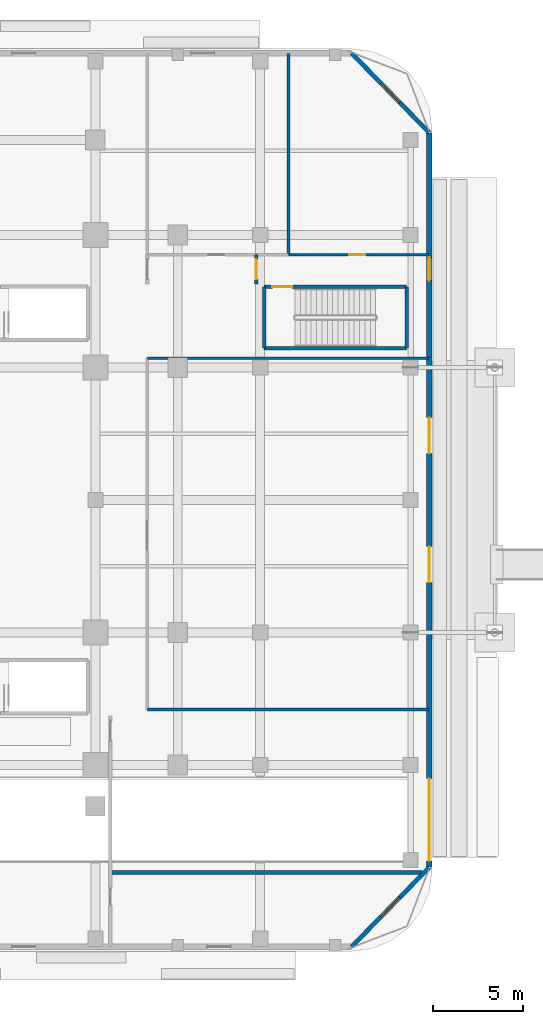
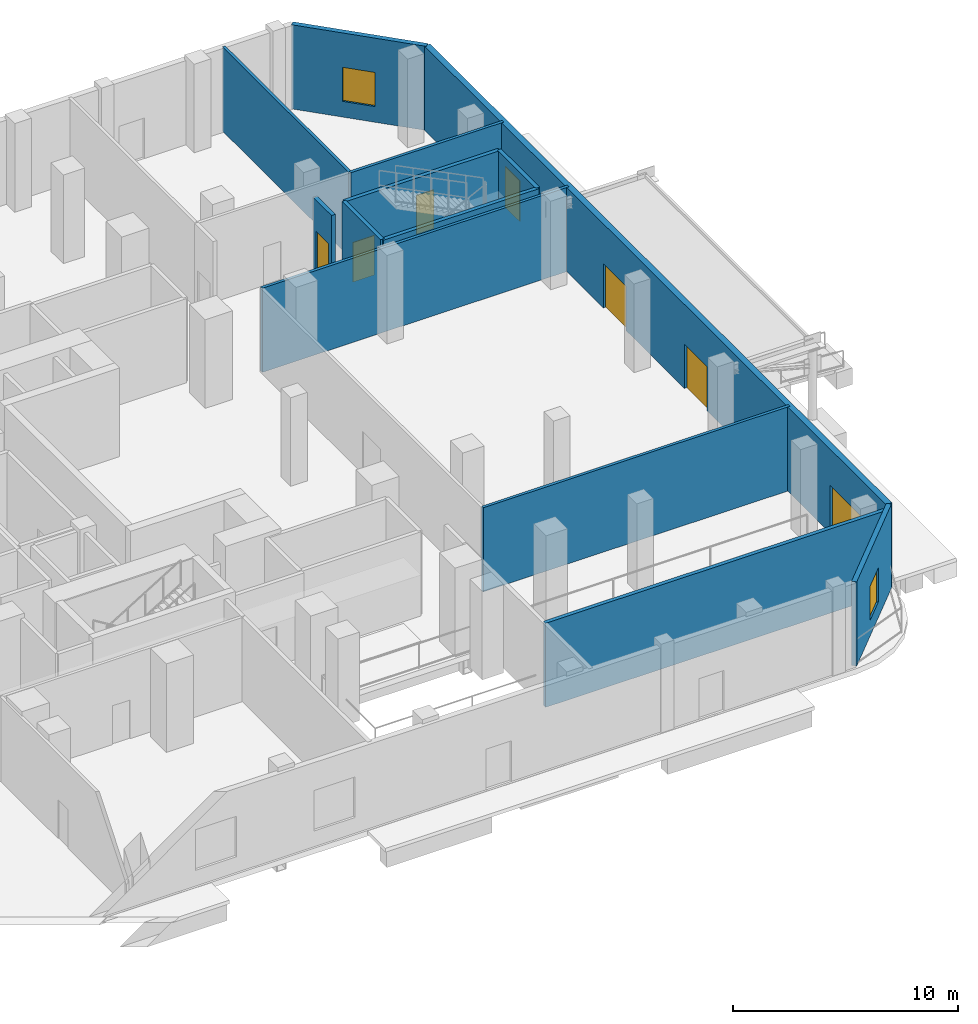
# One storey, part 17 of 24: 13 walls, 7 doors, 2 windows, 9 openings.
"""IFC4 building model written with IfcOpenShell, lengths in metres."""

from ifc_helpers import new_model, si_unit, direction, frame, frame_2d, origin, place, context, subcontext, project, spatial, rectangle, extrude, material, layer, layer_set, type_object, element, fill, save


model = new_model("IFC4")

# Units and contexts
model_context = context("Model", 3, precision=1e-05, world=origin(), true_north=direction((0.0, 1.0)))
body_context = subcontext(model_context, "Body", "Model", "MODEL_VIEW")
ifc_project = project(units=[si_unit("LENGTHUNIT", "METRE"), si_unit("AREAUNIT", "SQUARE_METRE"), si_unit("VOLUMEUNIT", "CUBIC_METRE"), si_unit("PLANEANGLEUNIT", "RADIAN"), si_unit("MASSUNIT", "GRAM", prefix="KILO")], contexts=[model_context])

# Site, building, storey
site_placement = place(None, origin())
site = spatial("IfcSite", under=ifc_project, at=site_placement, CompositionType="ELEMENT")
building_placement = place(site_placement, origin())
building = spatial("IfcBuilding", under=site, at=building_placement, Name="Khorvyn Point Tower", CompositionType="ELEMENT")
storey_placement = place(building_placement, origin())
storey = spatial("IfcBuildingStorey", under=building, at=storey_placement, Name="L01", CompositionType="ELEMENT", Elevation=0.0)

# Wall, opening, window
ifc_material_1 = material(Name="Pale anodised aluminium rainscreen on steel stud", Category="steel")
ifc_layer_1 = layer(ifc_material_1, 0.239990234375)
ifc_layer_set_1 = layer_set([ifc_layer_1], Name="Anodised Aluminium Insulated Corner Spandrel Wall 240")
wall_type_1 = type_object("IfcWallType", Name="Anodised Aluminium Insulated Corner Spandrel Wall 240", PredefinedType="SOLIDWALL", material=ifc_layer_set_1)
wall_1_placement = place(storey_placement, frame((29.10009765625, 24.949951171875, 0.0), z_axis=(0.0, 0.0, 1.0), x_axis=(0.69901822973, -0.715103848756, 0.0)))
wall_1 = element("IfcWall", 1, at=wall_1_placement, inside=storey, type_object=wall_type_1, Name="L01 Rounded Corner Wall NE", PredefinedType="SOLIDWALL", context=body_context, shape_type="SweptSolid", body=[
    extrude(rectangle(XDim=6.222900390625, YDim=0.239990234375, at=frame_2d((3.111328125, 0.0))), origin(), (0.0, 0.0, 1.0), 4.56005859375),
])
opening_1_placement = place(wall_1_placement, frame((2.361572265625, 0.0, 0.85009765625)))
opening_1 = element("IfcOpeningElement", 2, at=opening_1_placement, cuts=wall_1, Name="Opening WN-1518", PredefinedType="OPENING", context=body_context, shape_type="SweptSolid", body=[
    extrude(rectangle(XDim=1.5, YDim=1.85009765625, at=frame_2d((0.75, 0.925048828125))), frame((0.0, 0.1298828125, 0.0), z_axis=(0.0, -1.0, 0.0), x_axis=(1.0, 0.0, 0.0)), (0.0, 0.0, 1.0), 0.260009765625),
])
ifc_material_2 = material(Name="Anodised aluminium 6063-T6 and laminated Low-E glass", Category="aluminium")
window_type = type_object("IfcWindowType", Name="Anodised Aluminium Rounded-Corner Panoramic Window 1500x1850", PartitioningType="SINGLE_PANEL", PredefinedType="WINDOW", material=ifc_material_2)
window_1_placement = place(opening_1_placement, origin())
window_1 = element("IfcWindow", 3, at=window_1_placement, inside=storey, type_object=window_type, Name="L01 Corner Window NE", OverallHeight=1.85009765625, OverallWidth=1.5, PartitioningType="SINGLE_PANEL", PredefinedType="WINDOW", context=body_context, shape_type="SweptSolid", body=[
    extrude(rectangle(XDim=1.5, YDim=1.85009765625, at=frame_2d((0.75, 0.925048828125))), frame((0.0, 0.030029296875, 0.0), z_axis=(0.0, -1.0, 0.0), x_axis=(1.0, 0.0, 0.0)), (0.0, 0.0, 1.0), 0.06005859375),
])
fill(opening_1, window_1)

wall_2_placement = place(storey_placement, frame((33.449951171875, -20.5, 0.0), z_axis=(0.0, 0.0, 1.0), x_axis=(-0.69901822973, -0.715103848756, 0.0)))
wall_2 = element("IfcWall", 4, at=wall_2_placement, inside=storey, type_object=wall_type_1, Name="L01 Rounded Corner Wall SE", PredefinedType="SOLIDWALL", context=body_context, shape_type="SweptSolid", body=[
    extrude(rectangle(XDim=6.222900390625, YDim=0.239990234375, at=frame_2d((3.111328125, 0.0))), origin(), (0.0, 0.0, 1.0), 4.56005859375),
])
opening_2_placement = place(wall_2_placement, frame((2.361572265625, 0.0, 0.85009765625)))
opening_2 = element("IfcOpeningElement", 5, at=opening_2_placement, cuts=wall_2, Name="Opening WN-1518", PredefinedType="OPENING", context=body_context, shape_type="SweptSolid", body=[
    extrude(rectangle(XDim=1.5, YDim=1.85009765625, at=frame_2d((0.75, 0.925048828125))), frame((0.0, 0.1298828125, 0.0), z_axis=(0.0, -1.0, 0.0), x_axis=(1.0, 0.0, 0.0)), (0.0, 0.0, 1.0), 0.260009765625),
])
window_2_placement = place(opening_2_placement, origin())
window_2 = element("IfcWindow", 6, at=window_2_placement, inside=storey, type_object=window_type, Name="L01 Corner Window SE", OverallHeight=1.85009765625, OverallWidth=1.5, PartitioningType="SINGLE_PANEL", PredefinedType="WINDOW", context=body_context, shape_type="SweptSolid", body=[
    extrude(rectangle(XDim=1.5, YDim=1.85009765625, at=frame_2d((0.75, 0.925048828125))), frame((0.0, 0.030029296875, 0.0), z_axis=(0.0, -1.0, 0.0), x_axis=(1.0, 0.0, 0.0)), (0.0, 0.0, 1.0), 0.06005859375),
])
fill(opening_2, window_2)

# Wall, opening, door
ifc_material_3 = material(Name="Concrete C40/50", Category="concrete")
ifc_layer_2 = layer(ifc_material_3, 0.199951171875)
ifc_layer_set_2 = layer_set([ifc_layer_2], Name="Concrete C40/50 Fire-Lobby Compartment Wall 200")
wall_type_2 = type_object("IfcWallType", Name="Concrete C40/50 Fire-Lobby Compartment Wall 200", PredefinedType="SOLIDWALL", material=ifc_layer_set_2)
wall_3_placement = place(storey_placement, frame((23.780029296875, 12.06005859375, 0.0), z_axis=(0.0, 0.0, 1.0), x_axis=(0.0, 1.0, 0.0)))
wall_3 = element("IfcWall", 7, at=wall_3_placement, inside=storey, type_object=wall_type_2, Name="Wall", PredefinedType="SOLIDWALL", context=body_context, shape_type="SweptSolid", body=[
    extrude(rectangle(XDim=1.639892578125, YDim=0.199951171875, at=frame_2d((0.81982421875, 0.0))), origin(), (0.0, 0.0, 1.0), 3.85009765625),
])
opening_3_placement = place(wall_3_placement, frame((0.27001953125, 0.0, 0.0)))
opening_3 = element("IfcOpeningElement", 8, at=opening_3_placement, cuts=wall_3, Name="Opening ID-FL90", PredefinedType="OPENING", context=body_context, shape_type="SweptSolid", body=[
    extrude(rectangle(XDim=1.10009765625, YDim=2.14990234375, at=frame_2d((0.550048828125, 1.074951171875))), frame((0.0, 0.10986328125, 0.0), z_axis=(0.0, -1.0, 0.0), x_axis=(1.0, 0.0, 0.0)), (0.0, 0.0, 1.0), 0.219970703125),
])
ifc_material_4 = material(Name="Galvanised powder-coated steel", Category="steel")
door_type_1 = type_object("IfcDoorType", Name="Fire-Rated Steel Lobby and Stair Door 1100x2150", OperationType="NOTDEFINED", PredefinedType="DOOR", material=ifc_material_4)
door_1_placement = place(opening_3_placement, origin())
door_1 = element("IfcDoor", 9, at=door_1_placement, inside=storey, type_object=door_type_1, Name="Door", OperationType="SINGLE_SWING_LEFT", OverallHeight=2.14990234375, OverallWidth=1.10009765625, PredefinedType="DOOR", context=body_context, shape_type="SweptSolid", body=[
    extrude(rectangle(XDim=1.10009765625, YDim=2.14990234375, at=frame_2d((0.550048828125, 1.074951171875))), frame((0.0, 0.02490234375, 0.0), z_axis=(0.0, -1.0, 0.0), x_axis=(1.0, 0.0, 0.0)), (0.0, 0.0, 1.0), 0.050048828125),
])
fill(opening_3, door_1)

# Walls
wall_4_placement = place(storey_placement, frame((15.6201171875, -20.800048828125, 0.0), z_axis=(0.0, 0.0, 1.0), x_axis=(1.0, 0.0, 0.0)))
element("IfcWall", 10, at=wall_4_placement, inside=storey, type_object=wall_type_2, Name="Wall", PredefinedType="SOLIDWALL", context=body_context, shape_type="SweptSolid", body=[
    extrude(rectangle(XDim=17.409912109375, YDim=0.199951171875, at=frame_2d((8.705078125, 0.0))), origin(), (0.0, 0.0, 1.0), 4.56005859375),
])
ifc_layer_3 = layer(ifc_material_3, 0.199951171875)
ifc_layer_set_3 = layer_set([ifc_layer_3], Name="Concrete C40/50 Structural Hoistway and Stair Shaft Wall 200")
wall_type_3 = type_object("IfcWallType", Name="Concrete C40/50 Structural Hoistway and Stair Shaft Wall 200", PredefinedType="SHEAR", material=ifc_layer_set_3)
for number, where, z_axis, x_axis, name in (
    (11, (24.219970703125, 8.47998046875, 0.0), (0.0, 0.0, 1.0), (0.0, 1.0, 0.0), "Wall"),
    (12, (32.179931640625, 11.89990234375, 0.0), (0.0, 0.0, 1.0), (0.0, -1.0, 0.0), "Wall"),
):
    element("IfcWall", number, at=place(storey_placement, frame(where, z_axis=z_axis, x_axis=x_axis)), inside=storey, type_object=wall_type_3, Name=name, PredefinedType="SHEAR", context=body_context, shape_type="SweptSolid", body=[
        extrude(rectangle(XDim=3.419921875, YDim=0.199951171875, at=frame_2d((1.7099609375, 0.0))), origin(), (0.0, 0.0, 1.0), 4.56005859375),
    ])
wall_5_placement = place(storey_placement, frame((32.179931640625, 8.47998046875, 0.0), z_axis=(0.0, 0.0, 1.0), x_axis=(-1.0, 0.0, 0.0)))
element("IfcWall", 13, at=wall_5_placement, inside=storey, type_object=wall_type_3, Name="Wall", PredefinedType="SHEAR", context=body_context, shape_type="SweptSolid", body=[
    extrude(rectangle(XDim=7.9599609375, YDim=0.199951171875, at=frame_2d((3.97998046875, 0.0))), origin(), (0.0, 0.0, 1.0), 4.56005859375),
])

# Wall, opening, door
wall_6_placement = place(storey_placement, frame((24.219970703125, 11.89990234375, 0.0), z_axis=(0.0, 0.0, 1.0), x_axis=(1.0, 0.0, 0.0)))
wall_6 = element("IfcWall", 14, at=wall_6_placement, inside=storey, type_object=wall_type_3, Name="Wall", PredefinedType="SHEAR", context=body_context, shape_type="SweptSolid", body=[
    extrude(rectangle(XDim=7.9599609375, YDim=0.199951171875, at=frame_2d((3.97998046875, 0.0))), origin(), (0.0, 0.0, 1.0), 4.56005859375),
])
opening_4_placement = place(wall_6_placement, frame((0.4599609375, 0.0, 0.0)))
opening_4 = element("IfcOpeningElement", 15, at=opening_4_placement, cuts=wall_6, Name="Opening ID-FL90", PredefinedType="OPENING", context=body_context, shape_type="SweptSolid", body=[
    extrude(rectangle(XDim=1.10009765625, YDim=2.14990234375, at=frame_2d((0.550048828125, 1.074951171875))), frame((0.0, 0.10986328125, 0.0), z_axis=(0.0, -1.0, 0.0), x_axis=(1.0, 0.0, 0.0)), (0.0, 0.0, 1.0), 0.219970703125),
])
door_2_placement = place(opening_4_placement, origin())
door_2 = element("IfcDoor", 16, at=door_2_placement, inside=storey, type_object=door_type_1, Name="L01 ST-S3 Smokeproof Landing Door", OperationType="SINGLE_SWING_RIGHT", OverallHeight=2.14990234375, OverallWidth=1.10009765625, PredefinedType="DOOR", context=body_context, shape_type="SweptSolid", body=[
    extrude(rectangle(XDim=1.10009765625, YDim=2.14990234375, at=frame_2d((0.550048828125, 1.074951171875))), frame((0.0, 0.02490234375, 0.0), z_axis=(0.0, -1.0, 0.0), x_axis=(1.0, 0.0, 0.0)), (0.0, 0.0, 1.0), 0.050048828125),
])
fill(opening_4, door_2)

ifc_material_5 = material(Name="Moisture-resistant gypsum and cement board", Category="gypsum")
ifc_layer_4 = layer(ifc_material_5, 0.14990234375)
ifc_layer_set_4 = layer_set([ifc_layer_4], Name="Moisture-Resistant Wet-Room Partition Wall 150")
wall_type_4 = type_object("IfcWallType", Name="Moisture-Resistant Wet-Room Partition Wall 150", PredefinedType="PARTITIONING", material=ifc_layer_set_4)
wall_7_placement = place(storey_placement, frame((25.580078125, 13.699951171875, 0.0), z_axis=(0.0, 0.0, 1.0), x_axis=(1.0, 0.0, 0.0)))
wall_7 = element("IfcWall", 17, at=wall_7_placement, inside=storey, type_object=wall_type_4, Name="Wall", PredefinedType="PARTITIONING", context=body_context, shape_type="SweptSolid", body=[
    extrude(rectangle(XDim=7.83984375, YDim=0.14990234375, at=frame_2d((3.919921875, 0.0))), origin(), (0.0, 0.0, 1.0), 4.56005859375),
])
opening_5_placement = place(wall_7_placement, frame((3.380615234375, 0.0, 0.0)))
opening_5 = element("IfcOpeningElement", 18, at=opening_5_placement, cuts=wall_7, Name="Opening ID-RM90", PredefinedType="OPENING", context=body_context, shape_type="SweptSolid", body=[
    extrude(rectangle(XDim=0.89990234375, YDim=2.10009765625, at=frame_2d((0.449951171875, 1.050048828125))), frame((0.0, 0.0849609375, 0.0), z_axis=(0.0, -1.0, 0.0), x_axis=(1.0, 0.0, 0.0)), (0.0, 0.0, 1.0), 0.169921875),
])
ifc_material_6 = material(Name="Engineered oak veneer timber", Category="wood")
door_type_2 = type_object("IfcDoorType", Name="Flush Engineered Timber Room Door 900x2100", OperationType="NOTDEFINED", PredefinedType="DOOR", material=ifc_material_6)
door_3_placement = place(opening_5_placement, origin())
door_3 = element("IfcDoor", 19, at=door_3_placement, inside=storey, type_object=door_type_2, Name="Door", OperationType="SINGLE_SWING_LEFT", OverallHeight=2.10009765625, OverallWidth=0.89990234375, PredefinedType="DOOR", context=body_context, shape_type="SweptSolid", body=[
    extrude(rectangle(XDim=0.89990234375, YDim=2.10009765625, at=frame_2d((0.449951171875, 1.050048828125))), frame((0.0, 0.02490234375, 0.0), z_axis=(0.0, -1.0, 0.0), x_axis=(1.0, 0.0, 0.0)), (0.0, 0.0, 1.0), 0.050048828125),
])
fill(opening_5, door_3)

# Walls
wall_8_placement = place(storey_placement, frame((25.580078125, 13.699951171875, 0.0), z_axis=(0.0, 0.0, 1.0), x_axis=(0.0, 1.0, 0.0)))
element("IfcWall", 20, at=wall_8_placement, inside=storey, type_object=wall_type_4, Name="Wall", PredefinedType="PARTITIONING", context=body_context, shape_type="SweptSolid", body=[
    extrude(rectangle(XDim=11.219970703125, YDim=0.14990234375, at=frame_2d((5.60986328125, 0.0))), origin(), (0.0, 0.0, 1.0), 4.56005859375),
])
for number, where, z_axis, x_axis, name in (
    (21, (17.699951171875, 7.919921875, 0.0), (0.0, 0.0, 1.0), (1.0, 0.0, 0.0), "Wall"),
    (22, (17.699951171875, -11.699951171875, 0.0), (0.0, 0.0, 1.0), (1.0, 0.0, 0.0), "Wall"),
):
    element("IfcWall", number, at=place(storey_placement, frame(where, z_axis=z_axis, x_axis=x_axis)), inside=storey, type_object=wall_type_4, Name=name, PredefinedType="PARTITIONING", context=body_context, shape_type="SweptSolid", body=[
        extrude(rectangle(XDim=15.719970703125, YDim=0.14990234375, at=frame_2d((7.85986328125, 0.0))), origin(), (0.0, 0.0, 1.0), 4.56005859375),
    ])

# Wall, openings, doors
ifc_material_7 = material(Name="Precast concrete C35/45", Category="concrete")
ifc_layer_5 = layer(ifc_material_7, 0.300048828125)
ifc_layer_set_5 = layer_set([ifc_layer_5], Name="Precast Concrete C35/45 Insulated Podium Facade Wall 300")
wall_type_5 = type_object("IfcWallType", Name="Precast Concrete C35/45 Insulated Podium Facade Wall 300", PredefinedType="SOLIDWALL", material=ifc_layer_set_5)
wall_9_placement = place(storey_placement, frame((33.449951171875, 20.5, 0.0), z_axis=(0.0, 0.0, 1.0), x_axis=(0.0, -1.0, 0.0)))
wall_9 = element("IfcWall", 23, at=wall_9_placement, inside=storey, type_object=wall_type_5, Name="L01 East Residential & Ramp Entrance Wall", PredefinedType="SOLIDWALL", context=body_context, shape_type="SweptSolid", body=[
    extrude(rectangle(XDim=41.0, YDim=0.300048828125, at=frame_2d((20.5, 0.0))), origin(), (0.0, 0.0, 1.0), 4.56005859375),
])
opening_6_placement = place(wall_9_placement, frame((23.10009765625, 0.0, 0.0)))
opening_6 = element("IfcOpeningElement", 24, at=opening_6_placement, cuts=wall_9, Name="Opening ED-2024", PredefinedType="OPENING", context=body_context, shape_type="SweptSolid", body=[
    extrude(rectangle(XDim=2.0, YDim=2.39990234375, at=frame_2d((1.0, 1.199951171875))), frame((0.0, 0.159912109375, 0.0), z_axis=(0.0, -1.0, 0.0), x_axis=(1.0, 0.0, 0.0)), (0.0, 0.0, 1.0), 0.320068359375),
])
opening_7_placement = place(wall_9_placement, frame((15.89990234375, 0.0, 0.0)))
opening_7 = element("IfcOpeningElement", 25, at=opening_7_placement, cuts=wall_9, Name="Opening ED-2024", PredefinedType="OPENING", context=body_context, shape_type="SweptSolid", body=[
    extrude(rectangle(XDim=2.0, YDim=2.39990234375, at=frame_2d((1.0, 1.199951171875))), frame((0.0, 0.159912109375, 0.0), z_axis=(0.0, -1.0, 0.0), x_axis=(1.0, 0.0, 0.0)), (0.0, 0.0, 1.0), 0.320068359375),
])
opening_8_placement = place(wall_9_placement, frame((36.050048828125, 0.0, 0.0)))
opening_8 = element("IfcOpeningElement", 26, at=opening_8_placement, cuts=wall_9, Name="Opening GT-4626", PredefinedType="OPENING", context=body_context, shape_type="SweptSolid", body=[
    extrude(rectangle(XDim=4.60009765625, YDim=2.60009765625, at=frame_2d((2.300048828125, 1.300048828125))), frame((0.0, 0.159912109375, 0.0), z_axis=(0.0, -1.0, 0.0), x_axis=(1.0, 0.0, 0.0)), (0.0, 0.0, 1.0), 0.320068359375),
])
opening_9_placement = place(wall_9_placement, frame((6.949951171875, 0.0, 0.0)))
opening_9 = element("IfcOpeningElement", 27, at=opening_9_placement, cuts=wall_9, Name="Opening ED-1322", PredefinedType="OPENING", context=body_context, shape_type="SweptSolid", body=[
    extrude(rectangle(XDim=1.300048828125, YDim=2.199951171875, at=frame_2d((0.64990234375, 1.10009765625))), frame((0.0, 0.159912109375, 0.0), z_axis=(0.0, -1.0, 0.0), x_axis=(1.0, 0.0, 0.0)), (0.0, 0.0, 1.0), 0.320068359375),
])
door_type_3 = type_object("IfcDoorType", Name="Fire-Exit Steel Discharge Swing Door 1300x2200", OperationType="NOTDEFINED", PredefinedType="DOOR", material=ifc_material_4)
door_4_placement = place(opening_9_placement, origin())
door_4 = element("IfcDoor", 28, at=door_4_placement, inside=storey, type_object=door_type_3, Name="L01 ST-S3 Northeast Protected Stair Discharge Door", OperationType="SINGLE_SWING_LEFT", OverallHeight=2.199951171875, OverallWidth=1.300048828125, PredefinedType="DOOR", context=body_context, shape_type="SweptSolid", body=[
    extrude(rectangle(XDim=1.300048828125, YDim=2.199951171875, at=frame_2d((0.64990234375, 1.10009765625))), frame((0.0, 0.02490234375, 0.0), z_axis=(0.0, -1.0, 0.0), x_axis=(1.0, 0.0, 0.0)), (0.0, 0.0, 1.0), 0.050048828125),
])
fill(opening_9, door_4)
ifc_material_8 = material(Name="Anodised aluminium 6063-T6 and tempered glass", Category="aluminium")
door_type_4 = type_object("IfcDoorType", Name="Glazed Aluminium Entrance Double Swing Door 2000x2400", OperationType="DOUBLE_DOOR_SINGLE_SWING", PredefinedType="DOOR", material=ifc_material_8)
door_5_placement = place(opening_6_placement, origin())
door_5 = element("IfcDoor", 29, at=door_5_placement, inside=storey, type_object=door_type_4, Name="L01 Residential Tower Main East Entrance Door", OperationType="SINGLE_SWING_LEFT", OverallHeight=2.39990234375, OverallWidth=2.0, PredefinedType="DOOR", context=body_context, shape_type="SweptSolid", body=[
    extrude(rectangle(XDim=2.0, YDim=2.39990234375, at=frame_2d((1.0, 1.199951171875))), frame((0.0, 0.02490234375, 0.0), z_axis=(0.0, -1.0, 0.0), x_axis=(1.0, 0.0, 0.0)), (0.0, 0.0, 1.0), 0.050048828125),
])
fill(opening_6, door_5)
door_6_placement = place(opening_7_placement, origin())
door_6 = element("IfcDoor", 30, at=door_6_placement, inside=storey, type_object=door_type_4, Name="L01 Residential Tower North-East Entrance Door", OperationType="SINGLE_SWING_LEFT", OverallHeight=2.39990234375, OverallWidth=2.0, PredefinedType="DOOR", context=body_context, shape_type="SweptSolid", body=[
    extrude(rectangle(XDim=2.0, YDim=2.39990234375, at=frame_2d((1.0, 1.199951171875))), frame((0.0, 0.02490234375, 0.0), z_axis=(0.0, -1.0, 0.0), x_axis=(1.0, 0.0, 0.0)), (0.0, 0.0, 1.0), 0.050048828125),
])
fill(opening_7, door_6)
ifc_material_9 = material(Name="Anodised aluminium 6063-T6", Category="aluminium")
door_type_5 = type_object("IfcDoorType", Name="Motorised Insulated Vehicle Ramp Roller Gate 4600x2600", OperationType="ROLLINGUP", PredefinedType="GATE", material=ifc_material_9)
door_7_placement = place(opening_8_placement, origin())
door_7 = element("IfcDoor", 31, at=door_7_placement, inside=storey, type_object=door_type_5, Name="L01 Basement Vehicle Ramp Entry Exit Gate", OperationType="SINGLE_SWING_LEFT", OverallHeight=2.60009765625, OverallWidth=4.60009765625, PredefinedType="GATE", context=body_context, shape_type="SweptSolid", body=[
    extrude(rectangle(XDim=4.60009765625, YDim=2.60009765625, at=frame_2d((2.300048828125, 1.300048828125))), frame((0.0, 0.02490234375, 0.0), z_axis=(0.0, -1.0, 0.0), x_axis=(1.0, 0.0, 0.0)), (0.0, 0.0, 1.0), 0.050048828125),
])
fill(opening_8, door_7)

save(model, "model.ifc")
